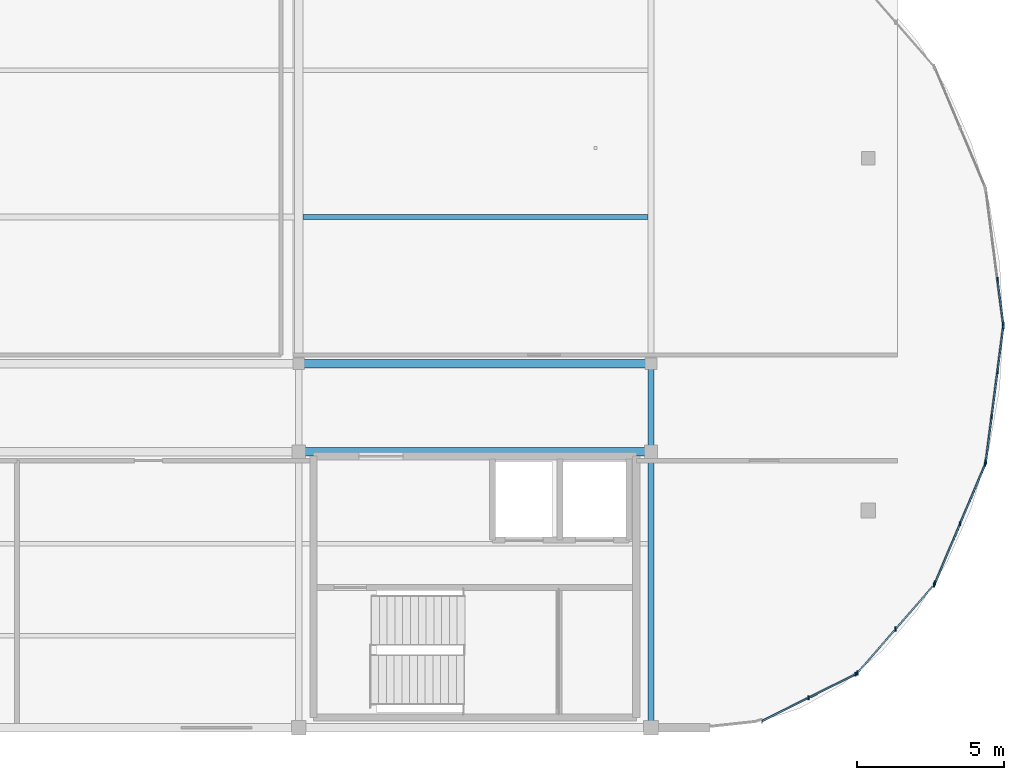
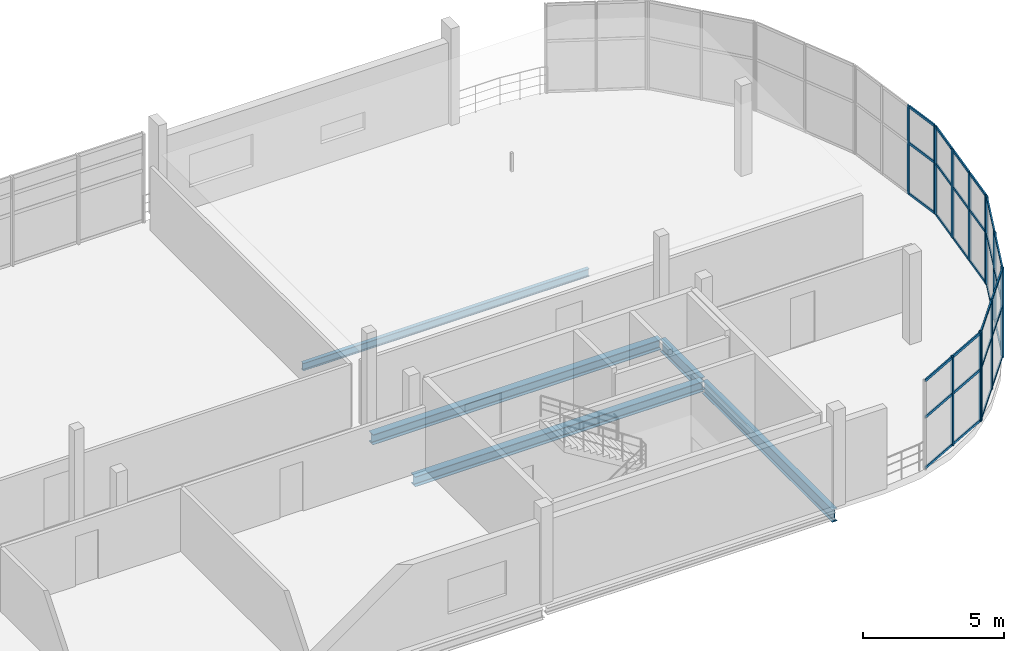
# One storey, part 4 of 13: 44 members, 5 beams, 5 elements without a shape of their own.
"""IFC4 building model written with IfcOpenShell, lengths in metres."""

import ifcopenshell
import ifcopenshell.guid

model = None  # the IFC model being written
_history = None  # IfcOwnerHistory: only IFC2X3 demands one
_inside = {}  # id of a spatial element -> (the spatial element, [elements in it])
_under = {}  # id of a project, library or spatial element -> (it, [spatial elements below it])
_declared = {}  # id of a project -> (the project, [libraries it declares])
_typed = {}  # id of a type object -> (the type object, [elements of that type])
_made_of = {}  # id of a material, layer set ... -> (it, [elements and type objects made of it])


def new_model(schema):
    """Start an empty IFC model of exactly this schema.

    Asked for "IFC4X3", IfcOpenShell would pick the latest addendum, in which some entities
    have other attributes; the version numbers below select the first issue.
    IFC2X3 requires an IfcOwnerHistory on every rooted entity: one is made here for all.
    """
    global model, _history
    if schema == "IFC4X3":
        model = ifcopenshell.file(schema_version=(4, 3, 0, 0))
    else:
        model = ifcopenshell.file(schema=schema)
    _inside.clear()
    _under.clear()
    _declared.clear()
    _typed.clear()
    _made_of.clear()
    _history = None
    if model.schema == "IFC2X3":
        org = make("IfcOrganization", Name="unknown")
        user = make(
            "IfcPersonAndOrganization",
            ThePerson=make("IfcPerson", FamilyName="unknown"),
            TheOrganization=org,
        )
        app = make(
            "IfcApplication",
            ApplicationDeveloper=org,
            Version="unknown",
            ApplicationFullName="unknown",
            ApplicationIdentifier="unknown",
        )
        _history = make(
            "IfcOwnerHistory",
            OwningUser=user,
            OwningApplication=app,
            ChangeAction="ADDED",
            CreationDate=0,
        )
    return model


def make(cls, **values):
    """One entity of the class cls with the attributes given. An attribute that is None is left unset."""
    return model.create_entity(
        cls, **{name: value for name, value in values.items() if value is not None}
    )


def rooted(cls, **values):
    """An entity with a GlobalId (a new one), such as an element, a storey or a relation."""
    return make(cls, GlobalId=ifcopenshell.guid.new(), OwnerHistory=_history, **values)


def si_unit(unit_type, name, prefix=None):
    """IfcSIUnit, for example si_unit("LENGTHUNIT", "METRE", prefix="MILLI")."""
    return make("IfcSIUnit", UnitType=unit_type, Prefix=prefix, Name=name)


def assignment(units):
    """IfcUnitAssignment: the units of a project."""
    return None if units is None else make("IfcUnitAssignment", Units=units)


def point(xyz):
    """IfcCartesianPoint."""
    return None if xyz is None else make("IfcCartesianPoint", Coordinates=xyz)


def direction(xyz):
    """IfcDirection."""
    return None if xyz is None else make("IfcDirection", DirectionRatios=xyz)


def frame(location, z_axis=None, x_axis=None):
    """IfcAxis2Placement3D, a coordinate frame: its origin and axes. An axis left out is left unset."""
    return make(
        "IfcAxis2Placement3D",
        Location=point(location),
        Axis=direction(z_axis),
        RefDirection=direction(x_axis),
    )


def frame_2d(location, x_axis=None):
    """IfcAxis2Placement2D, a coordinate frame in the plane: its origin and x axis."""
    return make(
        "IfcAxis2Placement2D", Location=point(location), RefDirection=direction(x_axis)
    )


def origin():
    """The frame at (0, 0, 0) with its axes left unset."""
    return frame((0.0, 0.0, 0.0))


def origin_2d():
    """The frame at (0, 0) in the plane with its x axis left unset."""
    return frame_2d((0.0, 0.0))


def place(relative_to, where):
    """IfcLocalPlacement: puts the frame where relative to a parent placement (None: the world)."""
    return make(
        "IfcLocalPlacement", PlacementRelTo=relative_to, RelativePlacement=where
    )


def context(
    kind, dimensions, precision=None, world=None, true_north=None, identifier=None
):
    """IfcGeometricRepresentationContext, for example the 3D "Model" context."""
    return make(
        "IfcGeometricRepresentationContext",
        ContextIdentifier=identifier,
        ContextType=kind,
        CoordinateSpaceDimension=dimensions,
        Precision=precision,
        WorldCoordinateSystem=world,
        TrueNorth=true_north,
    )


def subcontext(parent, identifier, kind, view, scale=None):
    """IfcGeometricRepresentationSubContext, for example "Body" below "Model"."""
    return make(
        "IfcGeometricRepresentationSubContext",
        ContextIdentifier=identifier,
        ContextType=kind,
        ParentContext=parent,
        TargetScale=scale,
        TargetView=view,
    )


def project(units=None, contexts=None):
    """IfcProject with its units and contexts."""
    return rooted(
        "IfcProject",
        Name="project",
        RepresentationContexts=contexts,
        UnitsInContext=assignment(units),
    )


def spatial(cls, under=None, at=None, **own):
    """A site, building, storey or space (cls), placed at a placement, below another one or the project."""
    s = rooted(cls, ObjectPlacement=at, **own)
    if under is not None:
        _under.setdefault(under.id(), (under, []))[1].append(s)
    return s


def profile(cls, at=None, kind="AREA", **sizes):
    """A parametric profile (cls). Its sizes go by their IFC names, for example OverallWidth=200.0."""
    return make(cls, ProfileType=kind, Position=at, **sizes)


def rectangle(**sizes):
    """IfcRectangleProfileDef."""
    return profile("IfcRectangleProfileDef", **sizes)


def i_section(**sizes):
    """IfcIShapeProfileDef."""
    return profile("IfcIShapeProfileDef", **sizes)


def extrude(swept, where, along, depth):
    """IfcExtrudedAreaSolid: the profile swept, set in the frame where, extruded along a direction by depth."""
    return make(
        "IfcExtrudedAreaSolid",
        SweptArea=swept,
        Position=where,
        ExtrudedDirection=direction(along),
        Depth=depth,
    )


def shape(context_of_items, identifier, shape_type, items):
    """IfcShapeRepresentation: the items that make up one representation, for example the "Body"."""
    return make(
        "IfcShapeRepresentation",
        ContextOfItems=context_of_items,
        RepresentationIdentifier=identifier,
        RepresentationType=shape_type,
        Items=items,
    )


def material(Name=None, Category=None):
    """IfcMaterial."""
    return make("IfcMaterial", Name=Name, Category=Category)


def material_profile(
    of_material, cross_section, Name=None, Category=None, Priority=None
):
    """IfcMaterialProfile: a cross section and its material."""
    return make(
        "IfcMaterialProfile",
        Name=Name,
        Material=of_material,
        Profile=cross_section,
        Priority=Priority,
        Category=Category,
    )


def profile_set(profiles, Name=None, composite=None):
    """IfcMaterialProfileSet."""
    return make(
        "IfcMaterialProfileSet",
        Name=Name,
        MaterialProfiles=profiles,
        CompositeProfile=composite,
    )


def made_of(thing, what):
    """Note that an element or type object is made of a material, layer set ...; save() writes the relation."""
    if what is not None:
        _made_of.setdefault(what.id(), (what, []))[1].append(thing)
    return thing


def type_object(cls, material=None, **own):
    """A type object (cls), such as IfcWallType, which elements share."""
    return made_of(rooted(cls, **own), material)


def element(
    cls,
    number,
    at=None,
    inside=None,
    cuts=None,
    type_object=None,
    material=None,
    context=None,
    identifier="Body",
    shape_type=None,
    held_by="IfcProductDefinitionShape",
    body=None,
    shapes=None,
    **own,
):
    """One element of the class cls, such as IfcWall. Its Tag is "e" and its number.

    at: its placement. inside: the storey or other place that contains it. cuts: it is an
    opening in that element (IfcRelVoidsElement). A single representation is given by context,
    identifier, shape_type and body (its items); several are given by shapes. held_by: the class
    of the entity that holds the representations. save() writes the other relations.
    """
    e = rooted(cls, Tag="e%d" % number, ObjectPlacement=at, **own)
    if body is not None:
        shapes = [shape(context, identifier, shape_type, body)]
    if shapes is not None:
        e.Representation = make(held_by, Representations=shapes)
    if inside is not None:
        _inside.setdefault(inside.id(), (inside, []))[1].append(e)
    if cuts is not None:
        rooted(
            "IfcRelVoidsElement", RelatingBuildingElement=cuts, RelatedOpeningElement=e
        )
    if type_object is not None:
        _typed.setdefault(type_object.id(), (type_object, []))[1].append(e)
    return made_of(e, material)


def aggregate(whole, parts):
    """IfcRelAggregates: a whole, such as a stair, and the parts it consists of."""
    return rooted("IfcRelAggregates", RelatingObject=whole, RelatedObjects=parts)


def save(model, path):
    """Write the relations noted so far, then the file.

    IfcRelAggregates (storeys below a building ...), IfcRelContainedInSpatialStructure (elements
    in a storey), IfcRelDefinesByType, IfcRelAssociatesMaterial and IfcRelDeclares: one each for
    every whole, place, type object, material and project.
    """
    for whole, parts in _under.values():
        aggregate(whole, parts)
    for where, things in _inside.values():
        rooted(
            "IfcRelContainedInSpatialStructure",
            RelatedElements=things,
            RelatingStructure=where,
        )
    for kind, things in _typed.values():
        rooted("IfcRelDefinesByType", RelatedObjects=things, RelatingType=kind)
    for what, things in _made_of.values():
        rooted("IfcRelAssociatesMaterial", RelatedObjects=things, RelatingMaterial=what)
    for by, libraries in _declared.values():
        rooted("IfcRelDeclares", RelatingContext=by, RelatedDefinitions=libraries)
    model.write(path)


model = new_model("IFC4")

# Units and contexts
model_context = context("Model", 3, precision=1e-05, world=origin(), true_north=direction((0.0, 1.0)))
body_context = subcontext(model_context, "Body", "Model", "MODEL_VIEW")
ifc_project = project(units=[si_unit("LENGTHUNIT", "METRE"), si_unit("AREAUNIT", "SQUARE_METRE"), si_unit("VOLUMEUNIT", "CUBIC_METRE"), si_unit("PLANEANGLEUNIT", "RADIAN"), si_unit("MASSUNIT", "GRAM", prefix="KILO"), si_unit("THERMODYNAMICTEMPERATUREUNIT", "KELVIN"), si_unit("POWERUNIT", "WATT")], contexts=[model_context])

# Site, building, storey
site_placement = place(None, origin())
site = spatial("IfcSite", under=ifc_project, at=site_placement, CompositionType="ELEMENT")
building_placement = place(site_placement, origin())
building = spatial("IfcBuilding", under=site, at=building_placement, Name="Solmara Park Aquatics Centre", CompositionType="ELEMENT")
storey_placement = place(building_placement, frame((0.0, 0.0, 14.39990234375)))
storey = spatial("IfcBuildingStorey", under=building, at=storey_placement, Name="L03", CompositionType="ELEMENT", Elevation=14.39990234375)

# Curtain wall, members
ifc_material_1 = material(Name="Anodised Aluminium Curtain Wall Framing", Category="aluminium")
curtain_wall_type = type_object("IfcCurtainWallType", Name="ARC-CW-SYS06", PredefinedType="USERDEFINED", material=ifc_material_1)
curtain_wall_1_placement = place(storey_placement, origin())
curtain_wall_1 = element("IfcCurtainWall", 1, at=curtain_wall_1_placement, inside=storey, type_object=curtain_wall_type, Name="Curtain Wall CW-146", ObjectType="CURTAIN WALL", PredefinedType="USERDEFINED")
ifc_material_2 = material(Name="Anodised Aluminium Alloy 6063-T6", Category="aluminium")
ifc_material_profile_1 = material_profile(ifc_material_2, rectangle(XDim=0.054931640625, YDim=0.139892578125, at=origin_2d()), Name="ALU MULLION 55x140")
ifc_profile_set_1 = profile_set([ifc_material_profile_1], Name="Anodised Aluminium Alloy 6063-T6")
member_type_1 = type_object("IfcMemberType", Name="ARC-CWM-55x140", PredefinedType="MULLION", material=ifc_profile_set_1)
member_1_placement = place(storey_placement, frame((101.96826171875, 109.621826171875, 0.0), z_axis=(0.0, 0.0, 1.0), x_axis=(1.0, 0.0, 0.0)))
member_1 = element("IfcMember", 2, at=member_1_placement, type_object=member_type_1, Name="CW-146 mullion 2", PredefinedType="MULLION", context=body_context, shape_type="SweptSolid", body=[
    extrude(rectangle(XDim=0.054931640625, YDim=0.139892578125, at=origin_2d()), origin(), (0.0, 0.0, 1.0), 3.860107421875),
])
member_2_placement = place(storey_placement, frame((103.564208984375, 110.41748046875, 0.0), z_axis=(0.0, 0.0, 1.0), x_axis=(1.0, 0.0, 0.0)))
member_2 = element("IfcMember", 3, at=member_2_placement, type_object=member_type_1, Name="CW-146 mullion 3", PredefinedType="MULLION", context=body_context, shape_type="SweptSolid", body=[
    extrude(rectangle(XDim=0.054931640625, YDim=0.139892578125, at=origin_2d()), origin(), (0.0, 0.0, 1.0), 3.860107421875),
])

curtain_wall_2_placement = place(storey_placement, origin())
curtain_wall_2 = element("IfcCurtainWall", 4, at=curtain_wall_2_placement, inside=storey, type_object=curtain_wall_type, Name="Curtain Wall CW-147", ObjectType="CURTAIN WALL", PredefinedType="USERDEFINED")
member_3_placement = place(storey_placement, frame((103.626220703125, 110.4658203125, 0.0), z_axis=(0.0, 0.0, 1.0), x_axis=(1.0, 0.0, 0.0)))
member_3 = element("IfcMember", 5, at=member_3_placement, type_object=member_type_1, Name="CW-147 mullion 1", PredefinedType="MULLION", context=body_context, shape_type="SweptSolid", body=[
    extrude(rectangle(XDim=0.054931640625, YDim=0.139892578125, at=origin_2d()), origin(), (0.0, 0.0, 1.0), 3.860107421875),
])
member_4_placement = place(storey_placement, frame((104.93017578125, 111.964599609375, 0.0), z_axis=(0.0, 0.0, 1.0), x_axis=(1.0, 0.0, 0.0)))
member_4 = element("IfcMember", 6, at=member_4_placement, type_object=member_type_1, Name="CW-147 mullion 2", PredefinedType="MULLION", context=body_context, shape_type="SweptSolid", body=[
    extrude(rectangle(XDim=0.054931640625, YDim=0.139892578125, at=origin_2d()), origin(), (0.0, 0.0, 1.0), 3.860107421875),
])
member_5_placement = place(storey_placement, frame((106.234130859375, 113.463623046875, 0.0), z_axis=(0.0, 0.0, 1.0), x_axis=(1.0, 0.0, 0.0)))
member_5 = element("IfcMember", 7, at=member_5_placement, type_object=member_type_1, Name="CW-147 mullion 3", PredefinedType="MULLION", context=body_context, shape_type="SweptSolid", body=[
    extrude(rectangle(XDim=0.054931640625, YDim=0.139892578125, at=origin_2d()), origin(), (0.0, 0.0, 1.0), 3.860107421875),
])

curtain_wall_3_placement = place(storey_placement, origin())
curtain_wall_3 = element("IfcCurtainWall", 8, at=curtain_wall_3_placement, inside=storey, type_object=curtain_wall_type, Name="Curtain Wall CW-148", ObjectType="CURTAIN WALL", PredefinedType="USERDEFINED")
member_6_placement = place(storey_placement, frame((106.27587890625, 113.53076171875, 0.0), z_axis=(0.0, 0.0, 1.0), x_axis=(1.0, 0.0, 0.0)))
member_6 = element("IfcMember", 9, at=member_6_placement, type_object=member_type_1, Name="CW-148 mullion 1", PredefinedType="MULLION", context=body_context, shape_type="SweptSolid", body=[
    extrude(rectangle(XDim=0.054931640625, YDim=0.139892578125, at=origin_2d()), origin(), (0.0, 0.0, 1.0), 3.860107421875),
])
member_7_placement = place(storey_placement, frame((107.128662109375, 115.553955078125, 0.0), z_axis=(0.0, 0.0, 1.0), x_axis=(1.0, 0.0, 0.0)))
member_7 = element("IfcMember", 10, at=member_7_placement, type_object=member_type_1, Name="CW-148 mullion 2", PredefinedType="MULLION", context=body_context, shape_type="SweptSolid", body=[
    extrude(rectangle(XDim=0.054931640625, YDim=0.139892578125, at=origin_2d()), origin(), (0.0, 0.0, 1.0), 3.860107421875),
])
member_8_placement = place(storey_placement, frame((107.9814453125, 117.577392578125, 0.0), z_axis=(0.0, 0.0, 1.0), x_axis=(1.0, 0.0, 0.0)))
member_8 = element("IfcMember", 11, at=member_8_placement, type_object=member_type_1, Name="CW-148 mullion 3", PredefinedType="MULLION", context=body_context, shape_type="SweptSolid", body=[
    extrude(rectangle(XDim=0.054931640625, YDim=0.139892578125, at=origin_2d()), origin(), (0.0, 0.0, 1.0), 3.860107421875),
])

curtain_wall_4_placement = place(storey_placement, origin())
curtain_wall_4 = element("IfcCurtainWall", 12, at=curtain_wall_4_placement, inside=storey, type_object=curtain_wall_type, Name="Curtain Wall CW-149", ObjectType="CURTAIN WALL", PredefinedType="USERDEFINED")
member_9_placement = place(storey_placement, frame((108.001953125, 117.654052734375, 0.0), z_axis=(0.0, 0.0, 1.0), x_axis=(1.0, 0.0, 0.0)))
member_9 = element("IfcMember", 13, at=member_9_placement, type_object=member_type_1, Name="CW-149 mullion 1", PredefinedType="MULLION", context=body_context, shape_type="SweptSolid", body=[
    extrude(rectangle(XDim=0.054931640625, YDim=0.139892578125, at=origin_2d()), origin(), (0.0, 0.0, 1.0), 3.860107421875),
])
member_10_placement = place(storey_placement, frame((108.19970703125, 119.189453125, 0.0), z_axis=(0.0, 0.0, 1.0), x_axis=(1.0, 0.0, 0.0)))
member_10 = element("IfcMember", 14, at=member_10_placement, type_object=member_type_1, Name="CW-149 mullion 2", PredefinedType="MULLION", context=body_context, shape_type="SweptSolid", body=[
    extrude(rectangle(XDim=0.054931640625, YDim=0.139892578125, at=origin_2d()), origin(), (0.0, 0.0, 1.0), 3.860107421875),
])
member_11_placement = place(storey_placement, frame((108.397216796875, 120.724853515625, 0.0), z_axis=(0.0, 0.0, 1.0), x_axis=(1.0, 0.0, 0.0)))
member_11 = element("IfcMember", 15, at=member_11_placement, type_object=member_type_1, Name="CW-149 mullion 3", PredefinedType="MULLION", context=body_context, shape_type="SweptSolid", body=[
    extrude(rectangle(XDim=0.054931640625, YDim=0.139892578125, at=origin_2d()), origin(), (0.0, 0.0, 1.0), 3.860107421875),
])
member_12_placement = place(storey_placement, frame((108.594970703125, 122.26025390625, 0.0), z_axis=(0.0, 0.0, 1.0), x_axis=(1.0, 0.0, 0.0)))
member_12 = element("IfcMember", 16, at=member_12_placement, type_object=member_type_1, Name="CW-149 mullion 4", PredefinedType="MULLION", context=body_context, shape_type="SweptSolid", body=[
    extrude(rectangle(XDim=0.054931640625, YDim=0.139892578125, at=origin_2d()), origin(), (0.0, 0.0, 1.0), 3.860107421875),
])

curtain_wall_5_placement = place(storey_placement, origin())
curtain_wall_5 = element("IfcCurtainWall", 17, at=curtain_wall_5_placement, inside=storey, type_object=curtain_wall_type, Name="Curtain Wall CW-150", ObjectType="CURTAIN WALL", PredefinedType="USERDEFINED")
member_13_placement = place(storey_placement, frame((108.594970703125, 122.339599609375, 0.0), z_axis=(0.0, 0.0, 1.0), x_axis=(1.0, 0.0, 0.0)))
member_13 = element("IfcMember", 18, at=member_13_placement, type_object=member_type_1, Name="CW-150 mullion 1", PredefinedType="MULLION", context=body_context, shape_type="SweptSolid", body=[
    extrude(rectangle(XDim=0.054931640625, YDim=0.139892578125, at=origin_2d()), origin(), (0.0, 0.0, 1.0), 3.860107421875),
])
member_14_placement = place(storey_placement, frame((108.397216796875, 123.875, 0.0), z_axis=(0.0, 0.0, 1.0), x_axis=(1.0, 0.0, 0.0)))
member_14 = element("IfcMember", 19, at=member_14_placement, type_object=member_type_1, Name="CW-150 mullion 2", PredefinedType="MULLION", context=body_context, shape_type="SweptSolid", body=[
    extrude(rectangle(XDim=0.054931640625, YDim=0.139892578125, at=origin_2d()), origin(), (0.0, 0.0, 1.0), 3.860107421875),
])

# Member
ifc_material_profile_2 = material_profile(ifc_material_2, rectangle(XDim=0.054931640625, YDim=0.110107421875, at=origin_2d()), Name="ALU TRANSOM 55x110")
ifc_profile_set_2 = profile_set([ifc_material_profile_2], Name="Anodised Aluminium Alloy 6063-T6")
member_type_2 = type_object("IfcMemberType", Name="ARC-CWT-55x110", PredefinedType="USERDEFINED", material=ifc_profile_set_2)
member_15_placement = place(storey_placement, frame((100.39013671875, 108.8349609375, 0.0400390625), z_axis=(0.894942577942, 0.446181333301, 0.0), x_axis=(-0.446181333301, 0.894942577942, 0.0)))
member_15 = element("IfcMember", 20, at=member_15_placement, type_object=member_type_2, Name="CW-146 transom 1", ObjectType="TRANSOM", PredefinedType="USERDEFINED", context=body_context, shape_type="SweptSolid", body=[
    extrude(rectangle(XDim=0.054931640625, YDim=0.110107421875, at=origin_2d()), origin(), (0.0, 0.0, 1.0), 1.703369140625),
])

member_16_placement = place(storey_placement, frame((100.39013671875, 108.8349609375, 2.239013671875), z_axis=(0.894942577942, 0.446181333301, 0.0), x_axis=(-0.446181333301, 0.894942577942, 0.0)))
member_16 = element("IfcMember", 21, at=member_16_placement, type_object=member_type_2, Name="CW-146 transom 2", ObjectType="TRANSOM", PredefinedType="USERDEFINED", context=body_context, shape_type="SweptSolid", body=[
    extrude(rectangle(XDim=0.054931640625, YDim=0.110107421875, at=origin_2d()), origin(), (0.0, 0.0, 1.0), 1.703369140625),
])

member_17_placement = place(storey_placement, frame((100.39013671875, 108.8349609375, 3.820068359375), z_axis=(0.894942577942, 0.446181333301, 0.0), x_axis=(-0.446181333301, 0.894942577942, 0.0)))
member_17 = element("IfcMember", 22, at=member_17_placement, type_object=member_type_2, Name="CW-146 transom 3", ObjectType="TRANSOM", PredefinedType="USERDEFINED", context=body_context, shape_type="SweptSolid", body=[
    extrude(rectangle(XDim=0.054931640625, YDim=0.110107421875, at=origin_2d()), origin(), (0.0, 0.0, 1.0), 1.703369140625),
])

member_18_placement = place(storey_placement, frame((101.986083984375, 109.630615234375, 0.0400390625), z_axis=(0.894885342251, 0.446296117196, 0.0), x_axis=(-0.446296117196, 0.894885342251, 0.0)))
member_18 = element("IfcMember", 23, at=member_18_placement, type_object=member_type_2, Name="CW-146 transom 4", ObjectType="TRANSOM", PredefinedType="USERDEFINED", context=body_context, shape_type="SweptSolid", body=[
    extrude(rectangle(XDim=0.054931640625, YDim=0.110107421875, at=origin_2d()), origin(), (0.0, 0.0, 1.0), 1.703369140625),
])

member_19_placement = place(storey_placement, frame((101.986083984375, 109.630615234375, 2.239013671875), z_axis=(0.894885342251, 0.446296117196, 0.0), x_axis=(-0.446296117196, 0.894885342251, 0.0)))
member_19 = element("IfcMember", 24, at=member_19_placement, type_object=member_type_2, Name="CW-146 transom 5", ObjectType="TRANSOM", PredefinedType="USERDEFINED", context=body_context, shape_type="SweptSolid", body=[
    extrude(rectangle(XDim=0.054931640625, YDim=0.110107421875, at=origin_2d()), origin(), (0.0, 0.0, 1.0), 1.703369140625),
])

member_20_placement = place(storey_placement, frame((101.986083984375, 109.630615234375, 3.820068359375), z_axis=(0.894885342251, 0.446296117196, 0.0), x_axis=(-0.446296117196, 0.894885342251, 0.0)))
member_20 = element("IfcMember", 25, at=member_20_placement, type_object=member_type_2, Name="CW-146 transom 6", ObjectType="TRANSOM", PredefinedType="USERDEFINED", context=body_context, shape_type="SweptSolid", body=[
    extrude(rectangle(XDim=0.054931640625, YDim=0.110107421875, at=origin_2d()), origin(), (0.0, 0.0, 1.0), 1.703369140625),
])

aggregate(curtain_wall_1, [member_1, member_2, member_15, member_16, member_17, member_18, member_19, member_20])

member_21_placement = place(storey_placement, frame((103.639404296875, 110.480712890625, 0.0400390625), z_axis=(0.656299159938, 0.754500770487, 0.0), x_axis=(-0.754500770487, 0.656299159938, 0.0)))
member_21 = element("IfcMember", 26, at=member_21_placement, type_object=member_type_2, Name="CW-147 transom 1", ObjectType="TRANSOM", PredefinedType="USERDEFINED", context=body_context, shape_type="SweptSolid", body=[
    extrude(rectangle(XDim=0.054931640625, YDim=0.110107421875, at=origin_2d()), origin(), (0.0, 0.0, 1.0), 1.90673828125),
])

member_22_placement = place(storey_placement, frame((103.639404296875, 110.480712890625, 2.239013671875), z_axis=(0.656299159938, 0.754500770487, 0.0), x_axis=(-0.754500770487, 0.656299159938, 0.0)))
member_22 = element("IfcMember", 27, at=member_22_placement, type_object=member_type_2, Name="CW-147 transom 2", ObjectType="TRANSOM", PredefinedType="USERDEFINED", context=body_context, shape_type="SweptSolid", body=[
    extrude(rectangle(XDim=0.054931640625, YDim=0.110107421875, at=origin_2d()), origin(), (0.0, 0.0, 1.0), 1.90673828125),
])

member_23_placement = place(storey_placement, frame((103.639404296875, 110.480712890625, 3.820068359375), z_axis=(0.656299159938, 0.754500770487, 0.0), x_axis=(-0.754500770487, 0.656299159938, 0.0)))
member_23 = element("IfcMember", 28, at=member_23_placement, type_object=member_type_2, Name="CW-147 transom 3", ObjectType="TRANSOM", PredefinedType="USERDEFINED", context=body_context, shape_type="SweptSolid", body=[
    extrude(rectangle(XDim=0.054931640625, YDim=0.110107421875, at=origin_2d()), origin(), (0.0, 0.0, 1.0), 1.90673828125),
])

member_24_placement = place(storey_placement, frame((104.943359375, 111.979736328125, 0.0400390625), z_axis=(0.656299159938, 0.754500770487, 0.0), x_axis=(-0.754500770487, 0.656299159938, 0.0)))
member_24 = element("IfcMember", 29, at=member_24_placement, type_object=member_type_2, Name="CW-147 transom 4", ObjectType="TRANSOM", PredefinedType="USERDEFINED", context=body_context, shape_type="SweptSolid", body=[
    extrude(rectangle(XDim=0.054931640625, YDim=0.110107421875, at=origin_2d()), origin(), (0.0, 0.0, 1.0), 1.90673828125),
])

member_25_placement = place(storey_placement, frame((104.943359375, 111.979736328125, 2.239013671875), z_axis=(0.656299159938, 0.754500770487, 0.0), x_axis=(-0.754500770487, 0.656299159938, 0.0)))
member_25 = element("IfcMember", 30, at=member_25_placement, type_object=member_type_2, Name="CW-147 transom 5", ObjectType="TRANSOM", PredefinedType="USERDEFINED", context=body_context, shape_type="SweptSolid", body=[
    extrude(rectangle(XDim=0.054931640625, YDim=0.110107421875, at=origin_2d()), origin(), (0.0, 0.0, 1.0), 1.90673828125),
])

member_26_placement = place(storey_placement, frame((104.943359375, 111.979736328125, 3.820068359375), z_axis=(0.656299159938, 0.754500770487, 0.0), x_axis=(-0.754500770487, 0.656299159938, 0.0)))
member_26 = element("IfcMember", 31, at=member_26_placement, type_object=member_type_2, Name="CW-147 transom 6", ObjectType="TRANSOM", PredefinedType="USERDEFINED", context=body_context, shape_type="SweptSolid", body=[
    extrude(rectangle(XDim=0.054931640625, YDim=0.110107421875, at=origin_2d()), origin(), (0.0, 0.0, 1.0), 1.90673828125),
])

aggregate(curtain_wall_2, [member_3, member_4, member_5, member_21, member_22, member_23, member_24, member_25, member_26])

member_27_placement = place(storey_placement, frame((106.28369140625, 113.549072265625, 0.0400390625), z_axis=(0.388299448937, 0.921533253852, 0.0), x_axis=(-0.921533253852, 0.388299448937, 0.0)))
member_27 = element("IfcMember", 32, at=member_27_placement, type_object=member_type_2, Name="CW-148 transom 1", ObjectType="TRANSOM", PredefinedType="USERDEFINED", context=body_context, shape_type="SweptSolid", body=[
    extrude(rectangle(XDim=0.054931640625, YDim=0.110107421875, at=origin_2d()), origin(), (0.0, 0.0, 1.0), 2.11572265625),
])

member_28_placement = place(storey_placement, frame((106.28369140625, 113.549072265625, 2.239013671875), z_axis=(0.388299448937, 0.921533253852, 0.0), x_axis=(-0.921533253852, 0.388299448937, 0.0)))
member_28 = element("IfcMember", 33, at=member_28_placement, type_object=member_type_2, Name="CW-148 transom 2", ObjectType="TRANSOM", PredefinedType="USERDEFINED", context=body_context, shape_type="SweptSolid", body=[
    extrude(rectangle(XDim=0.054931640625, YDim=0.110107421875, at=origin_2d()), origin(), (0.0, 0.0, 1.0), 2.11572265625),
])

member_29_placement = place(storey_placement, frame((106.28369140625, 113.549072265625, 3.820068359375), z_axis=(0.388299448937, 0.921533253852, 0.0), x_axis=(-0.921533253852, 0.388299448937, 0.0)))
member_29 = element("IfcMember", 34, at=member_29_placement, type_object=member_type_2, Name="CW-148 transom 3", ObjectType="TRANSOM", PredefinedType="USERDEFINED", context=body_context, shape_type="SweptSolid", body=[
    extrude(rectangle(XDim=0.054931640625, YDim=0.110107421875, at=origin_2d()), origin(), (0.0, 0.0, 1.0), 2.11572265625),
])

member_30_placement = place(storey_placement, frame((107.136474609375, 115.572509765625, 0.0400390625), z_axis=(0.388299448937, 0.921533253852, 0.0), x_axis=(-0.921533253852, 0.388299448937, 0.0)))
member_30 = element("IfcMember", 35, at=member_30_placement, type_object=member_type_2, Name="CW-148 transom 4", ObjectType="TRANSOM", PredefinedType="USERDEFINED", context=body_context, shape_type="SweptSolid", body=[
    extrude(rectangle(XDim=0.054931640625, YDim=0.110107421875, at=origin_2d()), origin(), (0.0, 0.0, 1.0), 2.11572265625),
])

member_31_placement = place(storey_placement, frame((107.136474609375, 115.572509765625, 2.239013671875), z_axis=(0.388299448937, 0.921533253852, 0.0), x_axis=(-0.921533253852, 0.388299448937, 0.0)))
member_31 = element("IfcMember", 36, at=member_31_placement, type_object=member_type_2, Name="CW-148 transom 5", ObjectType="TRANSOM", PredefinedType="USERDEFINED", context=body_context, shape_type="SweptSolid", body=[
    extrude(rectangle(XDim=0.054931640625, YDim=0.110107421875, at=origin_2d()), origin(), (0.0, 0.0, 1.0), 2.11572265625),
])

member_32_placement = place(storey_placement, frame((107.136474609375, 115.572509765625, 3.820068359375), z_axis=(0.388299448937, 0.921533253852, 0.0), x_axis=(-0.921533253852, 0.388299448937, 0.0)))
member_32 = element("IfcMember", 37, at=member_32_placement, type_object=member_type_2, Name="CW-148 transom 6", ObjectType="TRANSOM", PredefinedType="USERDEFINED", context=body_context, shape_type="SweptSolid", body=[
    extrude(rectangle(XDim=0.054931640625, YDim=0.110107421875, at=origin_2d()), origin(), (0.0, 0.0, 1.0), 2.11572265625),
])

aggregate(curtain_wall_3, [member_6, member_7, member_8, member_27, member_28, member_29, member_30, member_31, member_32])

member_33_placement = place(storey_placement, frame((108.004638671875, 117.673828125, 0.0400390625), z_axis=(0.127554462209, 0.991831567944, 0.0), x_axis=(-0.991831567944, 0.127554462209, 0.0)))
member_33 = element("IfcMember", 38, at=member_33_placement, type_object=member_type_2, Name="CW-149 transom 1", ObjectType="TRANSOM", PredefinedType="USERDEFINED", context=body_context, shape_type="SweptSolid", body=[
    extrude(rectangle(XDim=0.054931640625, YDim=0.110107421875, at=origin_2d()), origin(), (0.0, 0.0, 1.0), 1.468017578125),
])

member_34_placement = place(storey_placement, frame((108.004638671875, 117.673828125, 2.239013671875), z_axis=(0.127554462209, 0.991831567944, 0.0), x_axis=(-0.991831567944, 0.127554462209, 0.0)))
member_34 = element("IfcMember", 39, at=member_34_placement, type_object=member_type_2, Name="CW-149 transom 2", ObjectType="TRANSOM", PredefinedType="USERDEFINED", context=body_context, shape_type="SweptSolid", body=[
    extrude(rectangle(XDim=0.054931640625, YDim=0.110107421875, at=origin_2d()), origin(), (0.0, 0.0, 1.0), 1.468017578125),
])

member_35_placement = place(storey_placement, frame((108.004638671875, 117.673828125, 3.820068359375), z_axis=(0.127554462209, 0.991831567944, 0.0), x_axis=(-0.991831567944, 0.127554462209, 0.0)))
member_35 = element("IfcMember", 40, at=member_35_placement, type_object=member_type_2, Name="CW-149 transom 3", ObjectType="TRANSOM", PredefinedType="USERDEFINED", context=body_context, shape_type="SweptSolid", body=[
    extrude(rectangle(XDim=0.054931640625, YDim=0.110107421875, at=origin_2d()), origin(), (0.0, 0.0, 1.0), 1.468017578125),
])

member_36_placement = place(storey_placement, frame((108.2021484375, 119.209228515625, 0.0400390625), z_axis=(0.127718054306, 0.991810515474, 0.0), x_axis=(-0.991810515474, 0.127718054306, 0.0)))
member_36 = element("IfcMember", 41, at=member_36_placement, type_object=member_type_2, Name="CW-149 transom 4", ObjectType="TRANSOM", PredefinedType="USERDEFINED", context=body_context, shape_type="SweptSolid", body=[
    extrude(rectangle(XDim=0.054931640625, YDim=0.110107421875, at=origin_2d()), origin(), (0.0, 0.0, 1.0), 1.468017578125),
])

member_37_placement = place(storey_placement, frame((108.2021484375, 119.209228515625, 2.239013671875), z_axis=(0.127718054306, 0.991810515474, 0.0), x_axis=(-0.991810515474, 0.127718054306, 0.0)))
member_37 = element("IfcMember", 42, at=member_37_placement, type_object=member_type_2, Name="CW-149 transom 5", ObjectType="TRANSOM", PredefinedType="USERDEFINED", context=body_context, shape_type="SweptSolid", body=[
    extrude(rectangle(XDim=0.054931640625, YDim=0.110107421875, at=origin_2d()), origin(), (0.0, 0.0, 1.0), 1.468017578125),
])

member_38_placement = place(storey_placement, frame((108.2021484375, 119.209228515625, 3.820068359375), z_axis=(0.127718054306, 0.991810515474, 0.0), x_axis=(-0.991810515474, 0.127718054306, 0.0)))
member_38 = element("IfcMember", 43, at=member_38_placement, type_object=member_type_2, Name="CW-149 transom 6", ObjectType="TRANSOM", PredefinedType="USERDEFINED", context=body_context, shape_type="SweptSolid", body=[
    extrude(rectangle(XDim=0.054931640625, YDim=0.110107421875, at=origin_2d()), origin(), (0.0, 0.0, 1.0), 1.468017578125),
])

member_39_placement = place(storey_placement, frame((108.39990234375, 120.74462890625, 0.0400390625), z_axis=(0.127554462209, 0.991831567944, 0.0), x_axis=(-0.991831567944, 0.127554462209, 0.0)))
member_39 = element("IfcMember", 44, at=member_39_placement, type_object=member_type_2, Name="CW-149 transom 7", ObjectType="TRANSOM", PredefinedType="USERDEFINED", context=body_context, shape_type="SweptSolid", body=[
    extrude(rectangle(XDim=0.054931640625, YDim=0.110107421875, at=origin_2d()), origin(), (0.0, 0.0, 1.0), 1.468017578125),
])

member_40_placement = place(storey_placement, frame((108.39990234375, 120.74462890625, 2.239013671875), z_axis=(0.127554462209, 0.991831567944, 0.0), x_axis=(-0.991831567944, 0.127554462209, 0.0)))
member_40 = element("IfcMember", 45, at=member_40_placement, type_object=member_type_2, Name="CW-149 transom 8", ObjectType="TRANSOM", PredefinedType="USERDEFINED", context=body_context, shape_type="SweptSolid", body=[
    extrude(rectangle(XDim=0.054931640625, YDim=0.110107421875, at=origin_2d()), origin(), (0.0, 0.0, 1.0), 1.468017578125),
])

member_41_placement = place(storey_placement, frame((108.39990234375, 120.74462890625, 3.820068359375), z_axis=(0.127554462209, 0.991831567944, 0.0), x_axis=(-0.991831567944, 0.127554462209, 0.0)))
member_41 = element("IfcMember", 46, at=member_41_placement, type_object=member_type_2, Name="CW-149 transom 9", ObjectType="TRANSOM", PredefinedType="USERDEFINED", context=body_context, shape_type="SweptSolid", body=[
    extrude(rectangle(XDim=0.054931640625, YDim=0.110107421875, at=origin_2d()), origin(), (0.0, 0.0, 1.0), 1.468017578125),
])

aggregate(curtain_wall_4, [member_9, member_10, member_11, member_12, member_33, member_34, member_35, member_36, member_37, member_38, member_39, member_40, member_41])

member_42_placement = place(storey_placement, frame((108.59228515625, 122.359619140625, 0.0400390625), z_axis=(-0.127718054306, 0.991810515474, 0.0), x_axis=(-0.991810515474, -0.127718054306, 0.0)))
member_42 = element("IfcMember", 47, at=member_42_placement, type_object=member_type_2, Name="CW-150 transom 1", ObjectType="TRANSOM", PredefinedType="USERDEFINED", context=body_context, shape_type="SweptSolid", body=[
    extrude(rectangle(XDim=0.054931640625, YDim=0.110107421875, at=origin_2d()), origin(), (0.0, 0.0, 1.0), 1.468017578125),
])

member_43_placement = place(storey_placement, frame((108.59228515625, 122.359619140625, 2.239013671875), z_axis=(-0.127718054306, 0.991810515474, 0.0), x_axis=(-0.991810515474, -0.127718054306, 0.0)))
member_43 = element("IfcMember", 48, at=member_43_placement, type_object=member_type_2, Name="CW-150 transom 2", ObjectType="TRANSOM", PredefinedType="USERDEFINED", context=body_context, shape_type="SweptSolid", body=[
    extrude(rectangle(XDim=0.054931640625, YDim=0.110107421875, at=origin_2d()), origin(), (0.0, 0.0, 1.0), 1.468017578125),
])

member_44_placement = place(storey_placement, frame((108.59228515625, 122.359619140625, 3.820068359375), z_axis=(-0.127718054306, 0.991810515474, 0.0), x_axis=(-0.991810515474, -0.127718054306, 0.0)))
member_44 = element("IfcMember", 49, at=member_44_placement, type_object=member_type_2, Name="CW-150 transom 3", ObjectType="TRANSOM", PredefinedType="USERDEFINED", context=body_context, shape_type="SweptSolid", body=[
    extrude(rectangle(XDim=0.054931640625, YDim=0.110107421875, at=origin_2d()), origin(), (0.0, 0.0, 1.0), 1.468017578125),
])

aggregate(curtain_wall_5, [member_13, member_14, member_42, member_43, member_44])

# Beams
ifc_material_3 = material(Name="Structural Steel S355", Category="steel")
ifc_material_profile_3 = material_profile(ifc_material_3, i_section(OverallWidth=0.300048828125, OverallDepth=0.43994140625, WebThickness=0.011474609375, FlangeThickness=0.02099609375, FilletRadius=0.027099609375, at=origin_2d()), Name="HEA 450")
ifc_profile_set_3 = profile_set([ifc_material_profile_3], Name="Structural Steel S355")
beam_type_1 = type_object("IfcBeamType", Name="STR-BM-HEA450", PredefinedType="BEAM", material=ifc_profile_set_3)
for number, where, z_axis, x_axis, name in (
    (50, (84.679931640625, 118.0, -0.539794921875), (1.0, 0.0, 0.0), (0.0, 1.0, 0.0), "Girder BM-L03-0446"),
    (51, (84.679931640625, 121.0, -0.539794921875), (1.0, 0.0, 0.0), (0.0, 1.0, 0.0), "Girder BM-L03-0452"),
):
    element("IfcBeam", number, at=place(storey_placement, frame(where, z_axis=z_axis, x_axis=x_axis)), inside=storey, type_object=beam_type_1, Name=name, PredefinedType="BEAM", context=body_context, shape_type="SweptSolid", body=[
        extrude(i_section(OverallWidth=0.300048828125, OverallDepth=0.43994140625, WebThickness=0.011474609375, FlangeThickness=0.02099609375, FilletRadius=0.027099609375, at=origin_2d()), origin(), (0.0, 0.0, 1.0), 11.840087890625),
    ])
ifc_material_profile_4 = material_profile(ifc_material_3, i_section(OverallWidth=0.2099609375, OverallDepth=0.550048828125, WebThickness=0.010986328125, FlangeThickness=0.01708984375, FilletRadius=0.02392578125, at=origin_2d()), Name="IPE 550")
ifc_profile_set_4 = profile_set([ifc_material_profile_4], Name="Structural Steel S355")
beam_type_2 = type_object("IfcBeamType", Name="STR-BM-IPE550", PredefinedType="BEAM", material=ifc_profile_set_4)
beam_1_placement = place(storey_placement, frame((96.60009765625, 108.679931640625, -0.594970703125), z_axis=(0.0, 1.0, 0.0), x_axis=(-1.0, 0.0, 0.0)))
element("IfcBeam", 52, at=beam_1_placement, inside=storey, type_object=beam_type_2, Name="Girder BM-L03-0477", PredefinedType="BEAM", context=body_context, shape_type="SweptSolid", body=[
    extrude(i_section(OverallWidth=0.2099609375, OverallDepth=0.550048828125, WebThickness=0.010986328125, FlangeThickness=0.01708984375, FilletRadius=0.02392578125, at=origin_2d()), origin(), (0.0, 0.0, 1.0), 9.239990234375),
])
beam_2_placement = place(storey_placement, frame((96.60009765625, 118.080078125, -0.594970703125), z_axis=(0.0, 1.0, 0.0), x_axis=(-1.0, 0.0, 0.0)))
element("IfcBeam", 53, at=beam_2_placement, inside=storey, type_object=beam_type_2, Name="Girder BM-L03-0478", PredefinedType="BEAM", context=body_context, shape_type="SweptSolid", body=[
    extrude(i_section(OverallWidth=0.2099609375, OverallDepth=0.550048828125, WebThickness=0.010986328125, FlangeThickness=0.01708984375, FilletRadius=0.02392578125, at=origin_2d()), origin(), (0.0, 0.0, 1.0), 2.83984375),
])
ifc_material_profile_5 = material_profile(ifc_material_3, i_section(OverallWidth=0.159912109375, OverallDepth=0.330078125, WebThickness=0.007568359375, FlangeThickness=0.011474609375, FilletRadius=0.01806640625, at=origin_2d()), Name="IPE 330")
ifc_profile_set_5 = profile_set([ifc_material_profile_5], Name="Structural Steel S355")
beam_type_3 = type_object("IfcBeamType", Name="STR-JST-IPE330", PredefinedType="JOIST", material=ifc_profile_set_5)
beam_3_placement = place(storey_placement, frame((84.75, 126.0, -0.48486328125), z_axis=(1.0, 0.0, 0.0), x_axis=(0.0, 1.0, 0.0)))
element("IfcBeam", 54, at=beam_3_placement, inside=storey, type_object=beam_type_3, Name="Floor Joist JST-L03-0262", PredefinedType="JOIST", context=body_context, shape_type="SweptSolid", body=[
    extrude(i_section(OverallWidth=0.159912109375, OverallDepth=0.330078125, WebThickness=0.007568359375, FlangeThickness=0.011474609375, FilletRadius=0.01806640625, at=origin_2d()), origin(), (0.0, 0.0, 1.0), 11.7451171875),
])

save(model, "model.ifc")
